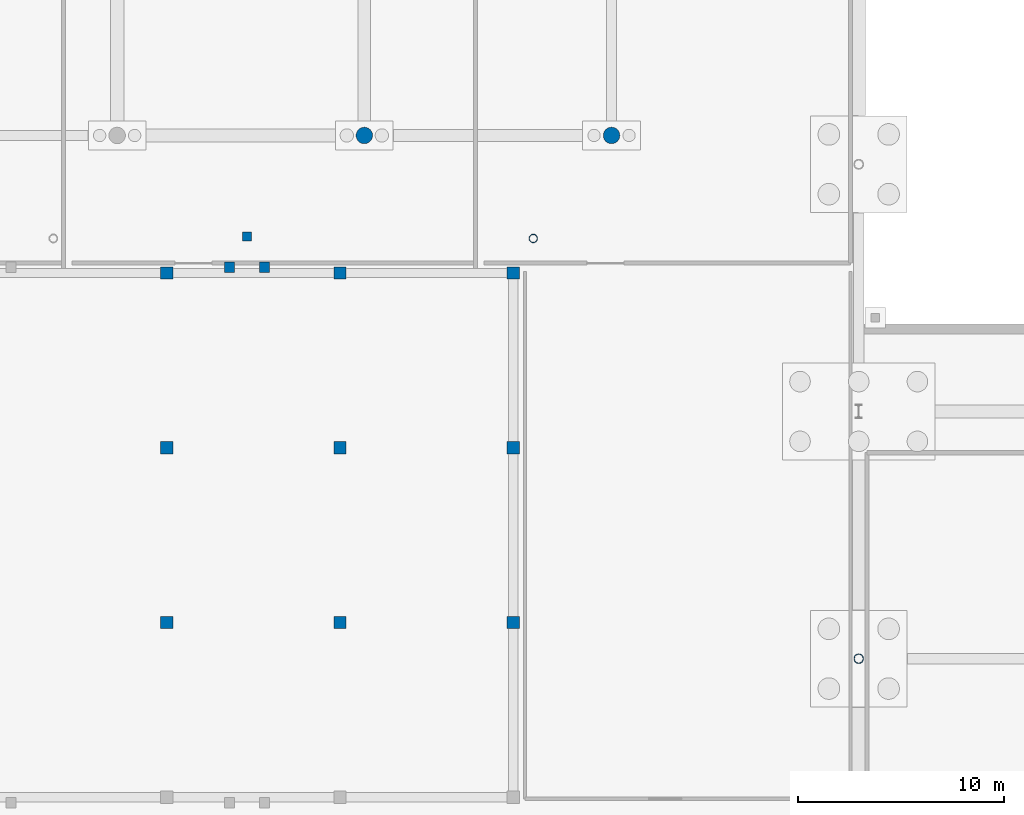
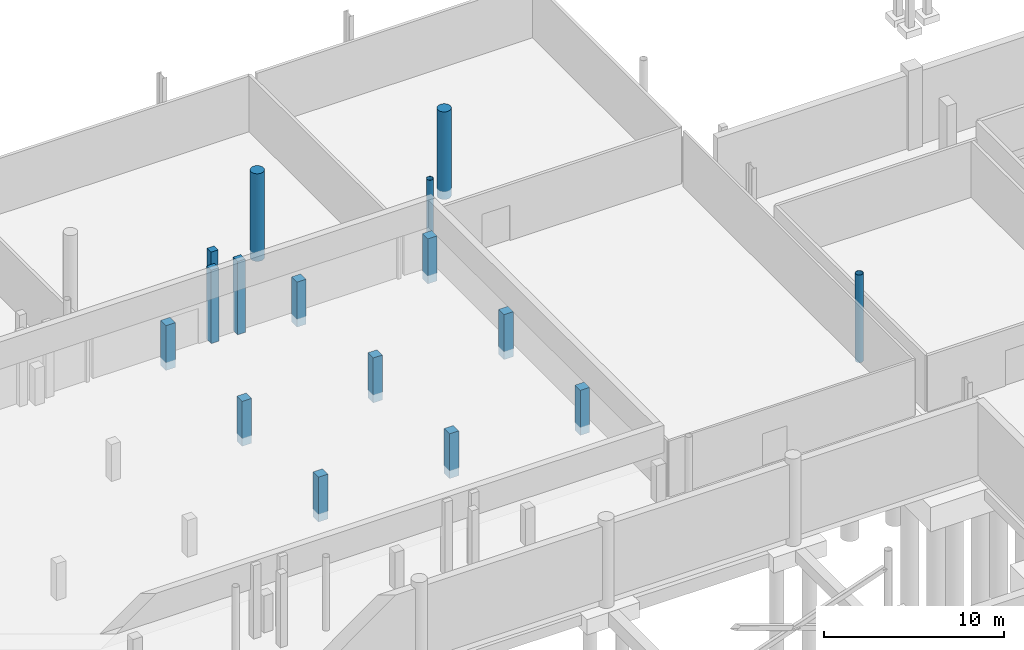
# One storey, part 15 of 42: 16 columns.
"""IFC4 building model written with IfcOpenShell, lengths in metres."""

from ifc_helpers import new_model, si_unit, direction, frame, origin, origin_2d, place, context, subcontext, project, spatial, rectangle, circle, hollow_circle, extrude, material, material_profile, profile_set, type_object, element, save


model = new_model("IFC4")

# Units and contexts
model_context = context("Model", 3, precision=1e-05, world=origin(), true_north=direction((0.0, 1.0)))
body_context = subcontext(model_context, "Body", "Model", "MODEL_VIEW")
ifc_project = project(units=[si_unit("LENGTHUNIT", "METRE"), si_unit("AREAUNIT", "SQUARE_METRE"), si_unit("VOLUMEUNIT", "CUBIC_METRE"), si_unit("PLANEANGLEUNIT", "RADIAN"), si_unit("MASSUNIT", "GRAM", prefix="KILO"), si_unit("THERMODYNAMICTEMPERATUREUNIT", "KELVIN"), si_unit("POWERUNIT", "WATT")], contexts=[model_context])

# Site, building, storey
site_placement = place(None, origin())
site = spatial("IfcSite", under=ifc_project, at=site_placement, CompositionType="ELEMENT")
building_placement = place(site_placement, origin())
building = spatial("IfcBuilding", under=site, at=building_placement, Name="Solmara Park Aquatics Centre", CompositionType="ELEMENT")
storey_placement = place(building_placement, frame((0.0, 0.0, -5.39990234375)))
storey = spatial("IfcBuildingStorey", under=building, at=storey_placement, Name="B1", CompositionType="ELEMENT", Elevation=-5.39990234375)

# Columns
ifc_material_1 = material(Name="Structural Steel S355", Category="steel")
ifc_material_profile_1 = material_profile(ifc_material_1, hollow_circle(Radius=0.203125, WallThickness=0.01611328125, at=origin_2d()), Name="CHS 406.4x16")
ifc_profile_set_1 = profile_set([ifc_material_profile_1], Name="Structural Steel S355")
column_type_1 = type_object("IfcColumnType", Name="STR-COL-CHS406", PredefinedType="COLUMN", material=ifc_profile_set_1)
column_1_placement = place(storey_placement, frame((80.800048828125, 57.0, 0.0), z_axis=(0.0, 0.0, 1.0), x_axis=(1.0, 0.0, 0.0)))
element("IfcColumn", 1, at=column_1_placement, inside=storey, type_object=column_type_1, Name="Upper Stand Front Column B1 N2-2", PredefinedType="COLUMN", context=body_context, shape_type="SweptSolid", body=[
    extrude(hollow_circle(Radius=0.203125, WallThickness=0.01611328125, at=origin_2d()), origin(), (0.0, 0.0, 1.0), 4.97998046875),
])
ifc_material_profile_2 = material_profile(ifc_material_1, hollow_circle(Radius=0.228515625, WallThickness=0.01611328125, at=origin_2d()), Name="CHS 457x16")
ifc_profile_set_2 = profile_set([ifc_material_profile_2], Name="Structural Steel S355")
column_type_2 = type_object("IfcColumnType", Name="STR-COL-CHS457", PredefinedType="COLUMN", material=ifc_profile_set_2)
column_2_placement = place(storey_placement, frame((96.60009765625, 36.60009765625, -0.550048828125), z_axis=(0.0, 0.0, 1.0), x_axis=(1.0, 0.0, 0.0)))
element("IfcColumn", 2, at=column_2_placement, inside=storey, type_object=column_type_2, Name="Column B1-0068", PredefinedType="COLUMN", context=body_context, shape_type="SweptSolid", body=[
    extrude(hollow_circle(Radius=0.228515625, WallThickness=0.01611328125, at=origin_2d()), origin(), (0.0, 0.0, 1.0), 5.949951171875),
])
ifc_material_2 = material(Name="Concrete C40/50", Category="concrete")
ifc_material_profile_3 = material_profile(ifc_material_2, rectangle(XDim=0.449951171875, YDim=0.449951171875, at=origin_2d()), Name="RC 450x450")
ifc_profile_set_3 = profile_set([ifc_material_profile_3], Name="Concrete C40/50")
column_type_3 = type_object("IfcColumnType", Name="STR-COL-RC450", PredefinedType="COLUMN", material=ifc_profile_set_3)
column_3_placement = place(storey_placement, frame((66.89990234375, 57.10009765625, 0.0), z_axis=(0.0, 0.0, 1.0), x_axis=(1.0, 0.0, 0.0)))
element("IfcColumn", 3, at=column_3_placement, inside=storey, type_object=column_type_3, Name="Vomitory Stair VS-02 Support Column B1-3", PredefinedType="COLUMN", context=body_context, shape_type="SweptSolid", body=[
    extrude(rectangle(XDim=0.449951171875, YDim=0.449951171875, at=origin_2d()), origin(), (0.0, 0.0, 1.0), 4.97998046875),
])
ifc_material_profile_4 = material_profile(ifc_material_2, rectangle(XDim=0.5, YDim=0.5, at=origin_2d()), Name="RC 500x500")
ifc_profile_set_4 = profile_set([ifc_material_profile_4], Name="Concrete C40/50")
column_type_4 = type_object("IfcColumnType", Name="STR-COL-RC500", PredefinedType="COLUMN", material=ifc_profile_set_4)
for number, where, z_axis, x_axis, name in (
    (4, (66.050048828125, 55.60009765625, 0.0), (0.0, 0.0, 1.0), (1.0, 0.0, 0.0), "Vomitory B1 Support Column 03"),
    (5, (67.75, 55.60009765625, 0.0), (0.0, 0.0, 1.0), (1.0, 0.0, 0.0), "Vomitory B1 Support Column 04"),
):
    element("IfcColumn", number, at=place(storey_placement, frame(where, z_axis=z_axis, x_axis=x_axis)), inside=storey, type_object=column_type_4, Name=name, PredefinedType="COLUMN", context=body_context, shape_type="SweptSolid", body=[
        extrude(rectangle(XDim=0.5, YDim=0.5, at=origin_2d()), origin(), (0.0, 0.0, 1.0), 4.97998046875),
    ])
ifc_material_profile_5 = material_profile(ifc_material_2, rectangle(XDim=0.60009765625, YDim=0.60009765625, at=origin_2d()), Name="RC 600x600")
ifc_profile_set_5 = profile_set([ifc_material_profile_5], Name="Concrete C40/50")
column_type_5 = type_object("IfcColumnType", Name="STR-COL-RC600", PredefinedType="COLUMN", material=ifc_profile_set_5)
for number, where, z_axis, x_axis, name in (
    (6, (63.00830078125, 38.3583984375, -0.550048828125), (0.0, 0.0, 1.0), (1.0, 0.0, 0.0), "Pool Tank Support Column 018"),
    (7, (63.00830078125, 46.841796875, -0.550048828125), (0.0, 0.0, 1.0), (1.0, 0.0, 0.0), "Pool Tank Support Column 019"),
    (8, (63.00830078125, 55.324951171875, -0.550048828125), (0.0, 0.0, 1.0), (1.0, 0.0, 0.0), "Pool Tank Support Column 020"),
    (9, (71.416748046875, 38.3583984375, -0.550048828125), (0.0, 0.0, 1.0), (1.0, 0.0, 0.0), "Pool Tank Support Column 022"),
    (10, (71.416748046875, 46.841796875, -0.550048828125), (0.0, 0.0, 1.0), (1.0, 0.0, 0.0), "Pool Tank Support Column 023"),
    (11, (71.416748046875, 55.324951171875, -0.550048828125), (0.0, 0.0, 1.0), (1.0, 0.0, 0.0), "Pool Tank Support Column 024"),
    (12, (79.824951171875, 38.3583984375, -0.550048828125), (0.0, 0.0, 1.0), (1.0, 0.0, 0.0), "Pool Tank Support Column 026"),
    (13, (79.824951171875, 46.841796875, -0.550048828125), (0.0, 0.0, 1.0), (1.0, 0.0, 0.0), "Pool Tank Support Column 027"),
    (14, (79.824951171875, 55.324951171875, -0.550048828125), (0.0, 0.0, 1.0), (1.0, 0.0, 0.0), "Pool Tank Support Column 028"),
):
    element("IfcColumn", number, at=place(storey_placement, frame(where, z_axis=z_axis, x_axis=x_axis)), inside=storey, type_object=column_type_5, Name=name, PredefinedType="COLUMN", context=body_context, shape_type="SweptSolid", body=[
        extrude(rectangle(XDim=0.60009765625, YDim=0.60009765625, at=origin_2d()), origin(), (0.0, 0.0, 1.0), 3.050048828125),
    ])
ifc_material_profile_6 = material_profile(ifc_material_2, circle(Radius=0.39990234375, at=origin_2d()), Name="RC COL D800")
ifc_profile_set_6 = profile_set([ifc_material_profile_6], Name="Concrete C40/50")
column_type_6 = type_object("IfcColumnType", Name="STR-COL-RCD800", PredefinedType="COLUMN", material=ifc_profile_set_6)
for number, where, z_axis, x_axis, name in (
    (15, (72.60009765625, 62.0, -0.550048828125), (0.0, 0.0, 1.0), (1.0, 0.0, 0.0), "Column B1-0052"),
    (16, (84.60009765625, 62.0, -0.550048828125), (0.0, 0.0, 1.0), (1.0, 0.0, 0.0), "Column B1-0060"),
):
    element("IfcColumn", number, at=place(storey_placement, frame(where, z_axis=z_axis, x_axis=x_axis)), inside=storey, type_object=column_type_6, Name=name, PredefinedType="COLUMN", context=body_context, shape_type="SweptSolid", body=[
        extrude(circle(Radius=0.39990234375, at=origin_2d()), origin(), (0.0, 0.0, 1.0), 5.949951171875),
    ])

save(model, "model.ifc")
